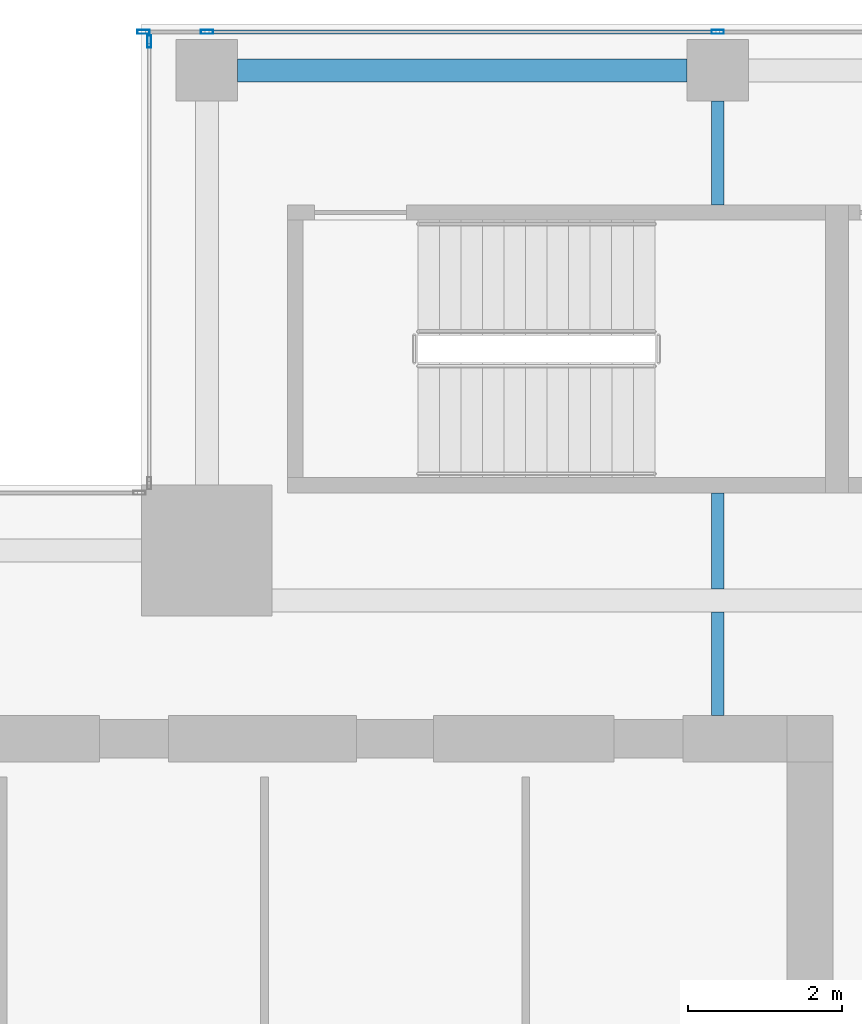
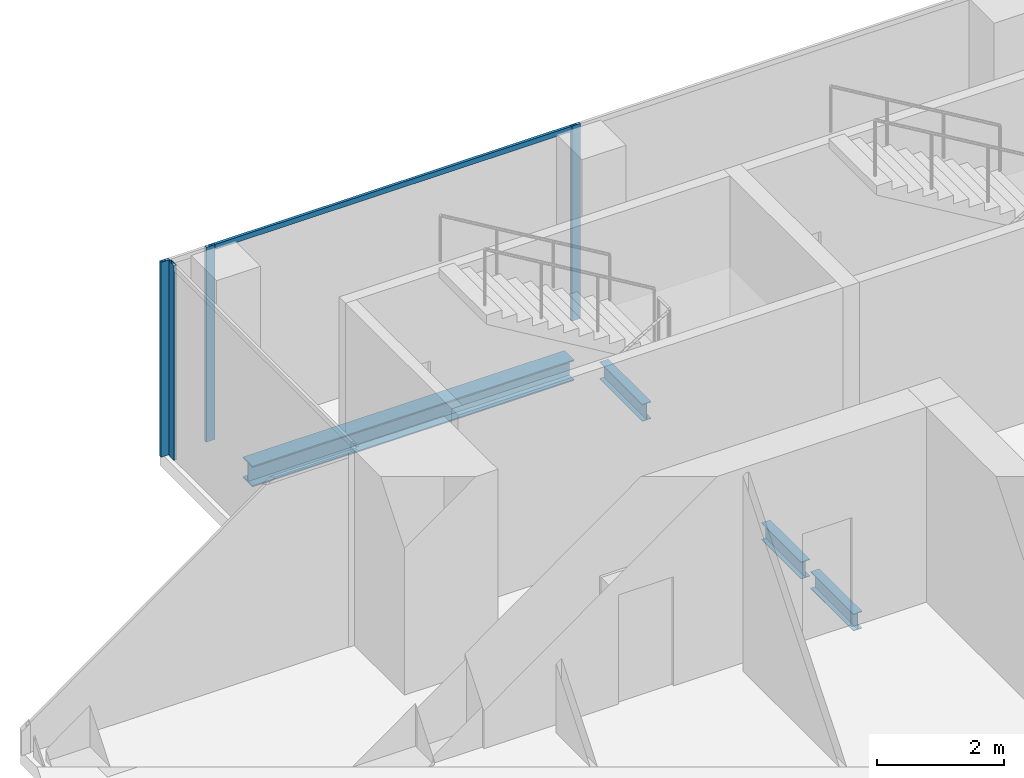
# One storey, part 15 of 29: 5 members, 4 beams, 2 elements without a shape of their own.
"""IFC4 building model written with IfcOpenShell, lengths in metres."""

from ifc_helpers import new_model, si_unit, direction, frame, origin, origin_2d, place, context, subcontext, project, spatial, hollow_rectangle, i_section, extrude, source, transform, mapped, material, material_profile, profile_set, type_object, element, aggregate, save


model = new_model("IFC4")

# Units and contexts
model_context = context("Model", 3, precision=1e-05, world=origin(), true_north=direction((0.0, 1.0)))
body_context = subcontext(model_context, "Body", "Model", "MODEL_VIEW")
ifc_project = project(units=[si_unit("LENGTHUNIT", "METRE"), si_unit("AREAUNIT", "SQUARE_METRE"), si_unit("VOLUMEUNIT", "CUBIC_METRE"), si_unit("PLANEANGLEUNIT", "RADIAN"), si_unit("MASSUNIT", "GRAM", prefix="KILO")], contexts=[model_context])

# Site, building, storey
site_placement = place(None, origin())
site = spatial("IfcSite", under=ifc_project, at=site_placement, CompositionType="ELEMENT")
building_placement = place(site_placement, origin())
building = spatial("IfcBuilding", under=site, at=building_placement, Name="Khomas Fold Tower", CompositionType="ELEMENT")
storey_placement = place(building_placement, frame((0.0, 0.0, 326.199951171875)))
storey = spatial("IfcBuildingStorey", under=building, at=storey_placement, Name="L74", CompositionType="ELEMENT", Elevation=326.199951171875)

# Beams
ifc_material_1 = material(Name="Steel S355", Category="steel")
ifc_material_profile_1 = material_profile(ifc_material_1, i_section(OverallWidth=0.159912109375, OverallDepth=0.330078125, WebThickness=0.007568359375, FlangeThickness=0.011474609375, at=origin_2d()), Name="IPE 330")
ifc_profile_set_1 = profile_set([ifc_material_profile_1], Name="Steel S355")
beam_type_1 = type_object("IfcBeamType", Name="IPE 330 beam JB1", PredefinedType="BEAM", material=ifc_profile_set_1)
shared_shape_1 = source(origin(), body_context, "Body", "SweptSolid", [
    extrude(i_section(OverallWidth=0.159912109375, OverallDepth=0.330078125, WebThickness=0.007568359375, FlangeThickness=0.011474609375, at=origin_2d()), origin(), (0.0, 0.0, 1.0), 1.25),
])
beam_1_placement = place(storey_placement, frame((19.5, 40.64990234375, -0.4150390625), z_axis=(0.0, 1.0, 0.0), x_axis=(-1.0, 0.0, 0.0)))
element("IfcBeam", 1, at=beam_1_placement, inside=storey, type_object=beam_type_1, Name="JB1", PredefinedType="BEAM", context=body_context, shape_type="MappedRepresentation", body=[
    mapped(shared_shape_1, transform((0.0, 0.0, 0.0))),
])
shared_shape_2 = source(origin(), body_context, "Body", "SweptSolid", [
    extrude(i_section(OverallWidth=0.159912109375, OverallDepth=0.330078125, WebThickness=0.007568359375, FlangeThickness=0.011474609375, at=origin_2d()), origin(), (0.0, 0.0, 1.0), 1.35009765625),
])
for number, where, z_axis, x_axis, name in (
    (2, (19.5, 39.0, -0.4150390625), (0.0, 1.0, 0.0), (-1.0, 0.0, 0.0), "JB1"),
    (3, (19.5, 45.64990234375, -0.4150390625), (0.0, 1.0, 0.0), (-1.0, 0.0, 0.0), "JB1"),
):
    element("IfcBeam", number, at=place(storey_placement, frame(where, z_axis=z_axis, x_axis=x_axis)), inside=storey, type_object=beam_type_1, Name=name, PredefinedType="BEAM", context=body_context, shape_type="MappedRepresentation", body=[
        mapped(shared_shape_2, transform((0.0, 0.0, 0.0))),
    ])
ifc_material_2 = material(Name="Steel S355", Category="steel")
ifc_material_profile_2 = material_profile(ifc_material_2, i_section(OverallWidth=0.300048828125, OverallDepth=0.39990234375, WebThickness=0.013427734375, FlangeThickness=0.02392578125, at=origin_2d()), Name="HE 400 B")
ifc_profile_set_2 = profile_set([ifc_material_profile_2], Name="Steel S355")
beam_type_2 = type_object("IfcBeamType", Name="HE 400 B spandrel SB5", PredefinedType="SPANDREL", material=ifc_profile_set_2)
shared_shape_3 = source(origin(), body_context, "Body", "SweptSolid", [
    extrude(i_section(OverallWidth=0.300048828125, OverallDepth=0.39990234375, WebThickness=0.013427734375, FlangeThickness=0.02392578125, at=origin_2d()), origin(), (0.0, 0.0, 1.0), 5.85009765625),
])
beam_2_placement = place(storey_placement, frame((13.25, 47.39990234375, -0.449951171875), z_axis=(1.0, 0.0, 0.0), x_axis=(0.0, 1.0, 0.0)))
element("IfcBeam", 4, at=beam_2_placement, inside=storey, type_object=beam_type_2, Name="SB5", PredefinedType="SPANDREL", context=body_context, shape_type="MappedRepresentation", body=[
    mapped(shared_shape_3, transform((0.0, 0.0, 0.0))),
])

# Curtain wall, members
ifc_material_3 = material(Name="Aluminium framed double glazing", Category="aluminium")
curtain_wall_type = type_object("IfcCurtainWallType", Name="SK-Unitised clear-glass wall, upper floors CW3", PredefinedType="NOTDEFINED", material=ifc_material_3)
curtain_wall_1_placement = place(storey_placement, origin())
curtain_wall_1 = element("IfcCurtainWall", 5, at=curtain_wall_1_placement, inside=storey, type_object=curtain_wall_type, Name="CW3 run L74 06-1", PredefinedType="NOTDEFINED")
ifc_material_4 = material(Name="Aluminium", Category="aluminium")
ifc_material_profile_3 = material_profile(ifc_material_4, hollow_rectangle(XDim=0.050048828125, YDim=0.159912109375, WallThickness=0.00390625, at=origin_2d()), Name="SK-Unitised clear-glass wall, upper floors mullion CW3-M")
ifc_profile_set_3 = profile_set([ifc_material_profile_3], Name="Aluminium")
member_type_1 = type_object("IfcMemberType", Name="SK-Unitised clear-glass wall, upper floors mullion CW3-M", PredefinedType="MULLION", material=ifc_profile_set_3)
shared_shape_4 = source(origin(), body_context, "Body", "SweptSolid", [
    extrude(hollow_rectangle(XDim=0.050048828125, YDim=0.159912109375, WallThickness=0.00390625, at=origin_2d()), origin(), (0.0, 0.0, 1.0), 3.75),
])
member_1_placement = place(storey_placement, frame((19.5, 47.89990234375, 0.0), z_axis=(0.0, 0.0, 1.0), x_axis=(0.0, -1.0, 0.0)))
member_1 = element("IfcMember", 6, at=member_1_placement, type_object=member_type_1, Name="CW3 mullion 4", PredefinedType="MULLION", context=body_context, shape_type="MappedRepresentation", body=[
    mapped(shared_shape_4, transform((0.0, 0.0, 0.0))),
])
member_2_placement = place(storey_placement, frame((12.85009765625, 47.89990234375, 0.0), z_axis=(0.0, 0.0, 1.0), x_axis=(0.0, -1.0, 0.0)))
member_2 = element("IfcMember", 7, at=member_2_placement, type_object=member_type_1, Name="CW3 mullion 5", PredefinedType="MULLION", context=body_context, shape_type="MappedRepresentation", body=[
    mapped(shared_shape_4, transform((0.0, 0.0, 0.0))),
])
member_3_placement = place(storey_placement, frame((12.02490234375, 47.89990234375, 0.0), z_axis=(0.0, 0.0, 1.0), x_axis=(0.0, -1.0, 0.0)))
member_3 = element("IfcMember", 8, at=member_3_placement, type_object=member_type_1, Name="CW3 mullion 6", PredefinedType="MULLION", context=body_context, shape_type="MappedRepresentation", body=[
    mapped(shared_shape_4, transform((0.0, 0.0, 0.0))),
])

# Curtain wall, member
curtain_wall_2_placement = place(storey_placement, origin())
curtain_wall_2 = element("IfcCurtainWall", 9, at=curtain_wall_2_placement, inside=storey, type_object=curtain_wall_type, Name="CW3 corner return L74 07", PredefinedType="NOTDEFINED")
member_4_placement = place(storey_placement, frame((12.10009765625, 47.77490234375, 0.0), z_axis=(0.0, 0.0, 1.0), x_axis=(1.0, 0.0, 0.0)))
member_4 = element("IfcMember", 10, at=member_4_placement, type_object=member_type_1, Name="CW3 mullion 1", PredefinedType="MULLION", context=body_context, shape_type="MappedRepresentation", body=[
    mapped(shared_shape_4, transform((0.0, 0.0, 0.0))),
])
aggregate(curtain_wall_2, [member_4])

# Member
ifc_material_5 = material(Name="Aluminium", Category="aluminium")
ifc_material_profile_4 = material_profile(ifc_material_5, hollow_rectangle(XDim=0.050048828125, YDim=0.10009765625, WallThickness=0.00390625, at=origin_2d()), Name="SK-Unitised clear-glass wall, upper floors transom CW3-T")
ifc_profile_set_4 = profile_set([ifc_material_profile_4], Name="Aluminium")
member_type_2 = type_object("IfcMemberType", Name="SK-Unitised clear-glass wall, upper floors transom CW3-T", PredefinedType="USERDEFINED", material=ifc_profile_set_4)
shared_shape_5 = source(origin(), body_context, "Body", "SweptSolid", [
    extrude(hollow_rectangle(XDim=0.050048828125, YDim=0.10009765625, WallThickness=0.00390625, at=origin_2d()), origin(), (0.0, 0.0, 1.0), 6.60009765625),
])
member_5_placement = place(storey_placement, frame((19.47509765625, 47.89990234375, 3.699951171875), z_axis=(-1.0, 0.0, 0.0), x_axis=(0.0, -1.0, 0.0)))
member_5 = element("IfcMember", 11, at=member_5_placement, type_object=member_type_2, Name="CW3 transom 4", ObjectType="TRANSOM", PredefinedType="USERDEFINED", context=body_context, shape_type="MappedRepresentation", body=[
    mapped(shared_shape_5, transform((0.0, 0.0, 0.0))),
])

aggregate(curtain_wall_1, [member_1, member_2, member_3, member_5])

save(model, "model.ifc")
